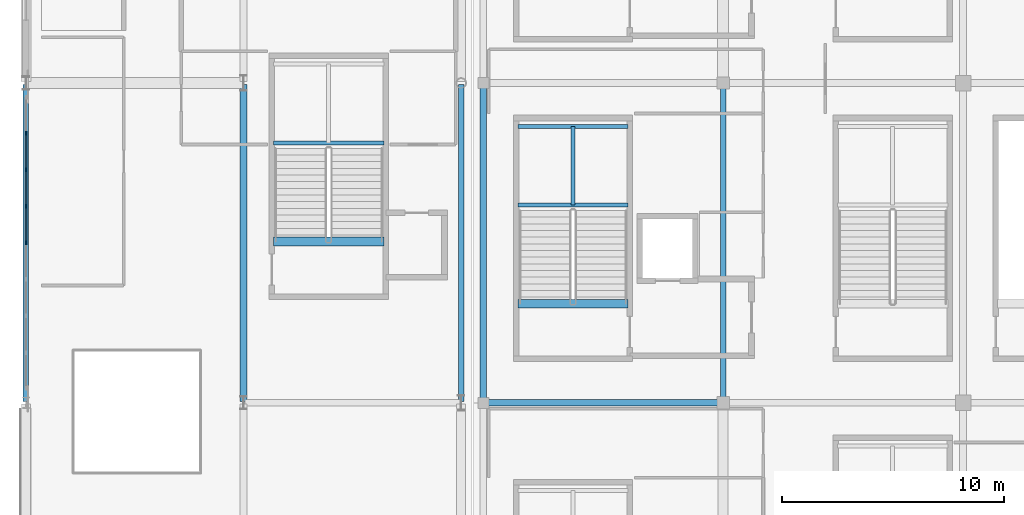
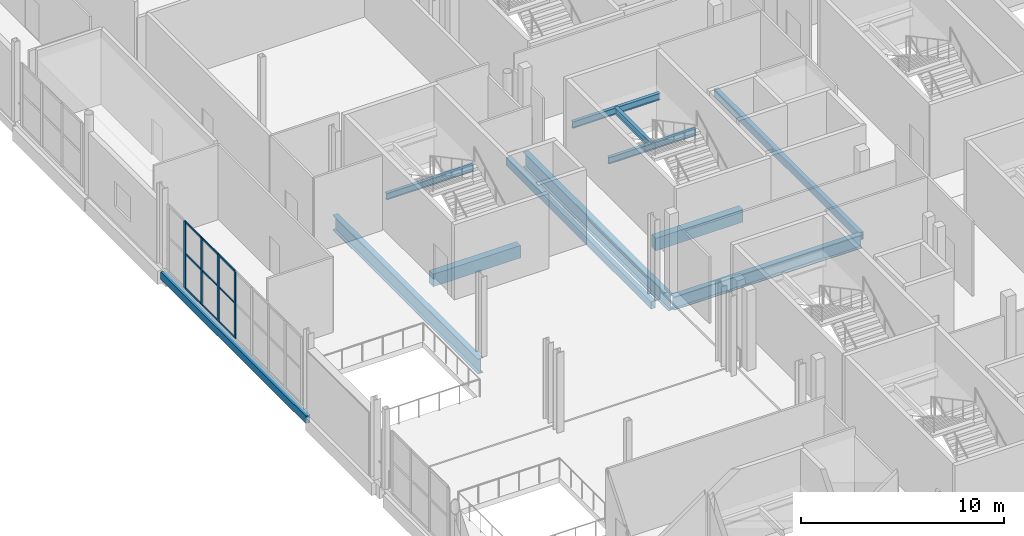
# One storey, part 28 of 129: 13 members, 12 beams, 1 element without a shape of its own.
"""IFC4 building model written with IfcOpenShell, lengths in metres."""

from ifc_helpers import new_model, si_unit, direction, frame, origin, origin_2d, place, context, subcontext, project, spatial, rectangle, hollow_rectangle, i_section, extrude, material, material_profile, profile_set, type_object, element, aggregate, save


model = new_model("IFC4")

# Units and contexts
model_context = context("Model", 3, precision=1e-05, world=origin(), true_north=direction((0.0, 1.0)))
body_context = subcontext(model_context, "Body", "Model", "MODEL_VIEW")
ifc_project = project(units=[si_unit("LENGTHUNIT", "METRE"), si_unit("AREAUNIT", "SQUARE_METRE"), si_unit("VOLUMEUNIT", "CUBIC_METRE"), si_unit("PLANEANGLEUNIT", "RADIAN"), si_unit("MASSUNIT", "GRAM", prefix="KILO")], contexts=[model_context])

# Site, building, storey
site_placement = place(None, origin())
site = spatial("IfcSite", under=ifc_project, at=site_placement, CompositionType="ELEMENT")
building_placement = place(site_placement, origin())
building = spatial("IfcBuilding", under=site, at=building_placement, Name="Koshinbarg Plaza Stadium", CompositionType="ELEMENT")
storey_placement = place(building_placement, frame((0.0, 0.0, 5.39990234375)))
storey = spatial("IfcBuildingStorey", under=building, at=storey_placement, Name="L01", CompositionType="ELEMENT", Elevation=5.39990234375)

# Beams
ifc_material_1 = material(Name="Concrete C40/50", Category="concrete")
ifc_material_profile_1 = material_profile(ifc_material_1, rectangle(XDim=0.39990234375, YDim=0.75, at=origin_2d()), Name="RC 400x750")
ifc_profile_set_1 = profile_set([ifc_material_profile_1], Name="Concrete C40/50")
beam_type_1 = type_object("IfcBeamType", Name="BM-RCG-03", PredefinedType="USERDEFINED", material=ifc_profile_set_1)
for number, where, z_axis, x_axis, name in (
    (1, (26.14990234375, 87.56005859375, -0.375), (1.0, 0.0, 0.0), (0.0, 1.0, 0.0), "L01 stair landing header beam C05"),
    (2, (15.14990234375, 90.360107421875, -0.375), (1.0, 0.0, 0.0), (0.0, 1.0, 0.0), "L01 stair landing header beam C15"),
):
    element("IfcBeam", number, at=place(storey_placement, frame(where, z_axis=z_axis, x_axis=x_axis)), inside=storey, type_object=beam_type_1, Name=name, ObjectType="GIRDER", PredefinedType="USERDEFINED", context=body_context, shape_type="SweptSolid", body=[
        extrude(rectangle(XDim=0.39990234375, YDim=0.75, at=origin_2d()), origin(), (0.0, 0.0, 1.0), 4.97021484375),
    ])
ifc_material_2 = material(Name="Steel S355", Category="steel")
ifc_material_profile_2 = material_profile(ifc_material_2, i_section(OverallWidth=0.179931640625, OverallDepth=0.39990234375, WebThickness=0.008544921875, FlangeThickness=0.013427734375, at=origin_2d()), Name="IPE 400")
ifc_profile_set_2 = profile_set([ifc_material_profile_2], Name="Steel S355")
beam_type_2 = type_object("IfcBeamType", Name="BM-SBM-01", PredefinedType="BEAM", material=ifc_profile_set_2)
for number, where, z_axis, x_axis, name in (
    (3, (26.14990234375, 92.010009765625, 1.880126953125), (1.0, 0.0, 0.0), (0.0, 1.0, 0.0), "L01 Protected Exit Stair C05 landing trimmer beam 1"),
    (4, (26.14990234375, 95.550048828125, 1.880126953125), (1.0, 0.0, 0.0), (0.0, 1.0, 0.0), "L01 Protected Exit Stair C05 landing trimmer beam 2"),
):
    element("IfcBeam", number, at=place(storey_placement, frame(where, z_axis=z_axis, x_axis=x_axis)), inside=storey, type_object=beam_type_2, Name=name, PredefinedType="BEAM", context=body_context, shape_type="SweptSolid", body=[
        extrude(i_section(OverallWidth=0.179931640625, OverallDepth=0.39990234375, WebThickness=0.008544921875, FlangeThickness=0.013427734375, at=origin_2d()), origin(), (0.0, 0.0, 1.0), 4.97021484375),
    ])
beam_1_placement = place(storey_placement, frame((28.635009765625, 92.010009765625, 1.880126953125), z_axis=(0.0, 1.0, 0.0), x_axis=(-1.0, 0.0, 0.0)))
element("IfcBeam", 5, at=beam_1_placement, inside=storey, type_object=beam_type_2, Name="L01 Protected Exit Stair C05 landing trimmer beam 3", PredefinedType="BEAM", context=body_context, shape_type="SweptSolid", body=[
    extrude(i_section(OverallWidth=0.179931640625, OverallDepth=0.39990234375, WebThickness=0.008544921875, FlangeThickness=0.013427734375, at=origin_2d()), origin(), (0.0, 0.0, 1.0), 3.5400390625),
])
beam_2_placement = place(storey_placement, frame((15.14990234375, 94.81005859375, 1.880126953125), z_axis=(1.0, 0.0, 0.0), x_axis=(0.0, 1.0, 0.0)))
element("IfcBeam", 6, at=beam_2_placement, inside=storey, type_object=beam_type_2, Name="L01 Protected Exit Stair C15 landing trimmer beam 1", PredefinedType="BEAM", context=body_context, shape_type="SweptSolid", body=[
    extrude(i_section(OverallWidth=0.179931640625, OverallDepth=0.39990234375, WebThickness=0.008544921875, FlangeThickness=0.013427734375, at=origin_2d()), origin(), (0.0, 0.0, 1.0), 4.97021484375),
])
ifc_material_profile_3 = material_profile(ifc_material_2, i_section(OverallWidth=0.300048828125, OverallDepth=0.800048828125, WebThickness=0.017578125, FlangeThickness=0.032958984375, at=origin_2d()), Name="HEB 800")
ifc_profile_set_3 = profile_set([ifc_material_profile_3], Name="Steel S355")
beam_type_3 = type_object("IfcBeamType", Name="BM-SGIR-04", PredefinedType="USERDEFINED", material=ifc_profile_set_3)
beam_3_placement = place(storey_placement, frame((24.659912109375, 83.10009765625, -0.719970703125), z_axis=(1.0, 0.0, 0.0), x_axis=(0.0, 1.0, 0.0)))
element("IfcBeam", 7, at=beam_3_placement, inside=storey, type_object=beam_type_3, Name="L01 X girder M/5-6", ObjectType="GIRDER", PredefinedType="USERDEFINED", context=body_context, shape_type="SweptSolid", body=[
    extrude(i_section(OverallWidth=0.300048828125, OverallDepth=0.800048828125, WebThickness=0.017578125, FlangeThickness=0.032958984375, at=origin_2d()), origin(), (0.0, 0.0, 1.0), 10.68017578125),
])
ifc_material_profile_4 = material_profile(ifc_material_2, i_section(OverallWidth=0.300048828125, OverallDepth=0.89990234375, WebThickness=0.0185546875, FlangeThickness=0.034912109375, at=origin_2d()), Name="HEB 900")
ifc_profile_set_4 = profile_set([ifc_material_profile_4], Name="Steel S355")
beam_type_4 = type_object("IfcBeamType", Name="BM-SGIR-05", PredefinedType="USERDEFINED", material=ifc_profile_set_4)
for number, where, z_axis, x_axis, name in (
    (8, (13.800048828125, 83.159912109375, -0.77001953125), (0.0, 1.0, 0.0), (-1.0, 0.0, 0.0), "L01 Y girder 3/M-N"),
    (9, (24.60009765625, 83.159912109375, -0.77001953125), (0.0, 1.0, 0.0), (-1.0, 0.0, 0.0), "L01 Y girder 5/M-N"),
):
    element("IfcBeam", number, at=place(storey_placement, frame(where, z_axis=z_axis, x_axis=x_axis)), inside=storey, type_object=beam_type_4, Name=name, ObjectType="GIRDER", PredefinedType="USERDEFINED", context=body_context, shape_type="SweptSolid", body=[
        extrude(i_section(OverallWidth=0.300048828125, OverallDepth=0.89990234375, WebThickness=0.0185546875, FlangeThickness=0.034912109375, at=origin_2d()), origin(), (0.0, 0.0, 1.0), 14.280029296875),
    ])
ifc_material_profile_5 = material_profile(ifc_material_2, hollow_rectangle(XDim=0.25, YDim=0.449951171875, WallThickness=0.01611328125, at=origin_2d()), Name="RHS 450x250x16")
ifc_profile_set_5 = profile_set([ifc_material_profile_5], Name="Steel S355")
beam_type_5 = type_object("IfcBeamType", Name="BM-SGIR-06", PredefinedType="USERDEFINED", material=ifc_profile_set_5)
for number, where, z_axis, x_axis, name in (
    (10, (4.0, 83.159912109375, -0.544921875), (0.0, 1.0, 0.0), (-1.0, 0.0, 0.0), "L01 Y girder 2/M-N"),
    (11, (23.60009765625, 83.159912109375, -0.544921875), (0.0, 1.0, 0.0), (-1.0, 0.0, 0.0), "L01 Y girder 4/M-N"),
    (12, (35.39990234375, 83.159912109375, -0.544921875), (0.0, 1.0, 0.0), (-1.0, 0.0, 0.0), "L01 Y girder 6/M-N"),
):
    element("IfcBeam", number, at=place(storey_placement, frame(where, z_axis=z_axis, x_axis=x_axis)), inside=storey, type_object=beam_type_5, Name=name, ObjectType="GIRDER", PredefinedType="USERDEFINED", context=body_context, shape_type="SweptSolid", body=[
        extrude(hollow_rectangle(XDim=0.25, YDim=0.449951171875, WallThickness=0.01611328125, at=origin_2d()), origin(), (0.0, 0.0, 1.0), 14.280029296875),
    ])

# Curtain wall, members
ifc_material_3 = material(Name="Thermally broken anodised aluminium and low-E double glazing", Category="aluminium")
curtain_wall_type = type_object("IfcCurtainWallType", Name="CW-SYS-07", PredefinedType="NOTDEFINED", material=ifc_material_3)
curtain_wall_placement = place(storey_placement, origin())
curtain_wall = element("IfcCurtainWall", 13, at=curtain_wall_placement, inside=storey, type_object=curtain_wall_type, Name="L01 unitised curtain wall CW-L01-006", PredefinedType="NOTDEFINED")
ifc_material_4 = material(Name="Anodised aluminium mullion", Category="aluminium")
ifc_material_profile_6 = material_profile(ifc_material_4, rectangle(XDim=0.070068359375, YDim=0.179931640625, at=origin_2d()), Name="ALU 70x180")
ifc_profile_set_6 = profile_set([ifc_material_profile_6], Name="Anodised aluminium mullion")
member_type_1 = type_object("IfcMemberType", Name="CW-MUL-03", PredefinedType="MULLION", material=ifc_profile_set_6)
member_1_placement = place(storey_placement, frame((4.0, 90.300048828125, 0.0), z_axis=(0.0, 0.0, 1.0), x_axis=(-1.0, 0.0, 0.0)))
member_1 = element("IfcMember", 14, at=member_1_placement, type_object=member_type_1, Name="CW07 mullion 5", PredefinedType="MULLION", context=body_context, shape_type="SweptSolid", body=[
    extrude(rectangle(XDim=0.070068359375, YDim=0.179931640625, at=origin_2d()), origin(), (0.0, 0.0, 1.0), 4.030029296875),
])
member_2_placement = place(storey_placement, frame((4.0, 91.945068359375, 0.0), z_axis=(0.0, 0.0, 1.0), x_axis=(-1.0, 0.0, 0.0)))
member_2 = element("IfcMember", 15, at=member_2_placement, type_object=member_type_1, Name="CW07 mullion 6", PredefinedType="MULLION", context=body_context, shape_type="SweptSolid", body=[
    extrude(rectangle(XDim=0.070068359375, YDim=0.179931640625, at=origin_2d()), origin(), (0.0, 0.0, 1.0), 4.030029296875),
])
member_3_placement = place(storey_placement, frame((4.0, 93.590087890625, 0.0), z_axis=(0.0, 0.0, 1.0), x_axis=(-1.0, 0.0, 0.0)))
member_3 = element("IfcMember", 16, at=member_3_placement, type_object=member_type_1, Name="CW07 mullion 7", PredefinedType="MULLION", context=body_context, shape_type="SweptSolid", body=[
    extrude(rectangle(XDim=0.070068359375, YDim=0.179931640625, at=origin_2d()), origin(), (0.0, 0.0, 1.0), 4.030029296875),
])
member_4_placement = place(storey_placement, frame((4.0, 95.235107421875, 0.0), z_axis=(0.0, 0.0, 1.0), x_axis=(-1.0, 0.0, 0.0)))
member_4 = element("IfcMember", 17, at=member_4_placement, type_object=member_type_1, Name="CW07 mullion 8", PredefinedType="MULLION", context=body_context, shape_type="SweptSolid", body=[
    extrude(rectangle(XDim=0.070068359375, YDim=0.179931640625, at=origin_2d()), origin(), (0.0, 0.0, 1.0), 4.030029296875),
])
ifc_material_5 = material(Name="Anodised aluminium transom", Category="aluminium")
ifc_material_profile_7 = material_profile(ifc_material_5, rectangle(XDim=0.06005859375, YDim=0.110107421875, at=origin_2d()), Name="ALU 60x110")
ifc_profile_set_7 = profile_set([ifc_material_profile_7], Name="Anodised aluminium transom")
member_type_2 = type_object("IfcMemberType", Name="CW-TRN-01", PredefinedType="USERDEFINED", material=ifc_profile_set_7)
member_5_placement = place(storey_placement, frame((4.0, 90.330078125, 0.030029296875), z_axis=(0.0, 1.0, 0.0), x_axis=(-1.0, 0.0, 0.0)))
member_5 = element("IfcMember", 18, at=member_5_placement, type_object=member_type_2, Name="CW07 transom 5.1", ObjectType="TRANSOM", PredefinedType="USERDEFINED", context=body_context, shape_type="SweptSolid", body=[
    extrude(rectangle(XDim=0.06005859375, YDim=0.110107421875, at=origin_2d()), origin(), (0.0, 0.0, 1.0), 1.5849609375),
])
member_6_placement = place(storey_placement, frame((4.0, 90.330078125, 2.095703125), z_axis=(0.0, 1.0, 0.0), x_axis=(-1.0, 0.0, 0.0)))
member_6 = element("IfcMember", 19, at=member_6_placement, type_object=member_type_2, Name="CW07 transom 5.2", ObjectType="TRANSOM", PredefinedType="USERDEFINED", context=body_context, shape_type="SweptSolid", body=[
    extrude(rectangle(XDim=0.06005859375, YDim=0.110107421875, at=origin_2d()), origin(), (0.0, 0.0, 1.0), 1.5849609375),
])
member_7_placement = place(storey_placement, frame((4.0, 90.330078125, 4.0), z_axis=(0.0, 1.0, 0.0), x_axis=(-1.0, 0.0, 0.0)))
member_7 = element("IfcMember", 20, at=member_7_placement, type_object=member_type_2, Name="CW07 transom 5.3", ObjectType="TRANSOM", PredefinedType="USERDEFINED", context=body_context, shape_type="SweptSolid", body=[
    extrude(rectangle(XDim=0.06005859375, YDim=0.110107421875, at=origin_2d()), origin(), (0.0, 0.0, 1.0), 1.5849609375),
])
member_8_placement = place(storey_placement, frame((4.0, 91.97509765625, 0.030029296875), z_axis=(0.0, 1.0, 0.0), x_axis=(-1.0, 0.0, 0.0)))
member_8 = element("IfcMember", 21, at=member_8_placement, type_object=member_type_2, Name="CW07 transom 6.1", ObjectType="TRANSOM", PredefinedType="USERDEFINED", context=body_context, shape_type="SweptSolid", body=[
    extrude(rectangle(XDim=0.06005859375, YDim=0.110107421875, at=origin_2d()), origin(), (0.0, 0.0, 1.0), 1.5849609375),
])
member_9_placement = place(storey_placement, frame((4.0, 91.97509765625, 2.095703125), z_axis=(0.0, 1.0, 0.0), x_axis=(-1.0, 0.0, 0.0)))
member_9 = element("IfcMember", 22, at=member_9_placement, type_object=member_type_2, Name="CW07 transom 6.2", ObjectType="TRANSOM", PredefinedType="USERDEFINED", context=body_context, shape_type="SweptSolid", body=[
    extrude(rectangle(XDim=0.06005859375, YDim=0.110107421875, at=origin_2d()), origin(), (0.0, 0.0, 1.0), 1.5849609375),
])
member_10_placement = place(storey_placement, frame((4.0, 91.97509765625, 4.0), z_axis=(0.0, 1.0, 0.0), x_axis=(-1.0, 0.0, 0.0)))
member_10 = element("IfcMember", 23, at=member_10_placement, type_object=member_type_2, Name="CW07 transom 6.3", ObjectType="TRANSOM", PredefinedType="USERDEFINED", context=body_context, shape_type="SweptSolid", body=[
    extrude(rectangle(XDim=0.06005859375, YDim=0.110107421875, at=origin_2d()), origin(), (0.0, 0.0, 1.0), 1.5849609375),
])
member_11_placement = place(storey_placement, frame((4.0, 93.6201171875, 0.030029296875), z_axis=(0.0, 1.0, 0.0), x_axis=(-1.0, 0.0, 0.0)))
member_11 = element("IfcMember", 24, at=member_11_placement, type_object=member_type_2, Name="CW07 transom 7.1", ObjectType="TRANSOM", PredefinedType="USERDEFINED", context=body_context, shape_type="SweptSolid", body=[
    extrude(rectangle(XDim=0.06005859375, YDim=0.110107421875, at=origin_2d()), origin(), (0.0, 0.0, 1.0), 1.5849609375),
])
member_12_placement = place(storey_placement, frame((4.0, 93.6201171875, 2.095703125), z_axis=(0.0, 1.0, 0.0), x_axis=(-1.0, 0.0, 0.0)))
member_12 = element("IfcMember", 25, at=member_12_placement, type_object=member_type_2, Name="CW07 transom 7.2", ObjectType="TRANSOM", PredefinedType="USERDEFINED", context=body_context, shape_type="SweptSolid", body=[
    extrude(rectangle(XDim=0.06005859375, YDim=0.110107421875, at=origin_2d()), origin(), (0.0, 0.0, 1.0), 1.5849609375),
])
member_13_placement = place(storey_placement, frame((4.0, 93.6201171875, 4.0), z_axis=(0.0, 1.0, 0.0), x_axis=(-1.0, 0.0, 0.0)))
member_13 = element("IfcMember", 26, at=member_13_placement, type_object=member_type_2, Name="CW07 transom 7.3", ObjectType="TRANSOM", PredefinedType="USERDEFINED", context=body_context, shape_type="SweptSolid", body=[
    extrude(rectangle(XDim=0.06005859375, YDim=0.110107421875, at=origin_2d()), origin(), (0.0, 0.0, 1.0), 1.5849609375),
])
aggregate(curtain_wall, [member_1, member_2, member_3, member_4, member_5, member_6, member_7, member_8, member_9, member_10, member_11, member_12, member_13])

save(model, "model.ifc")
